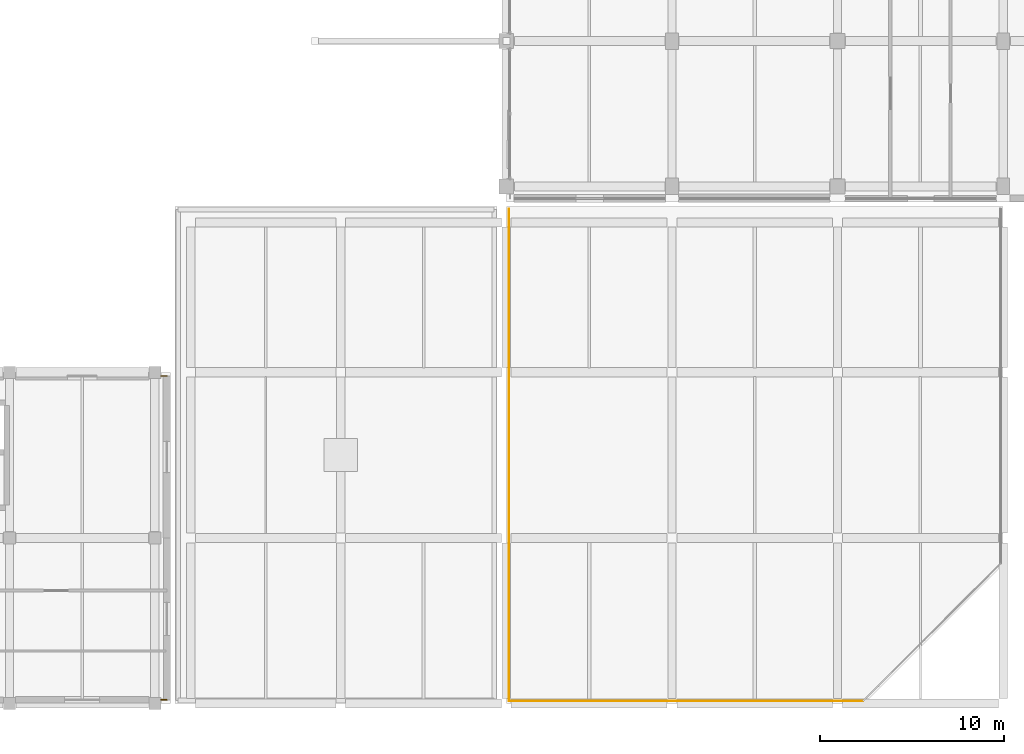
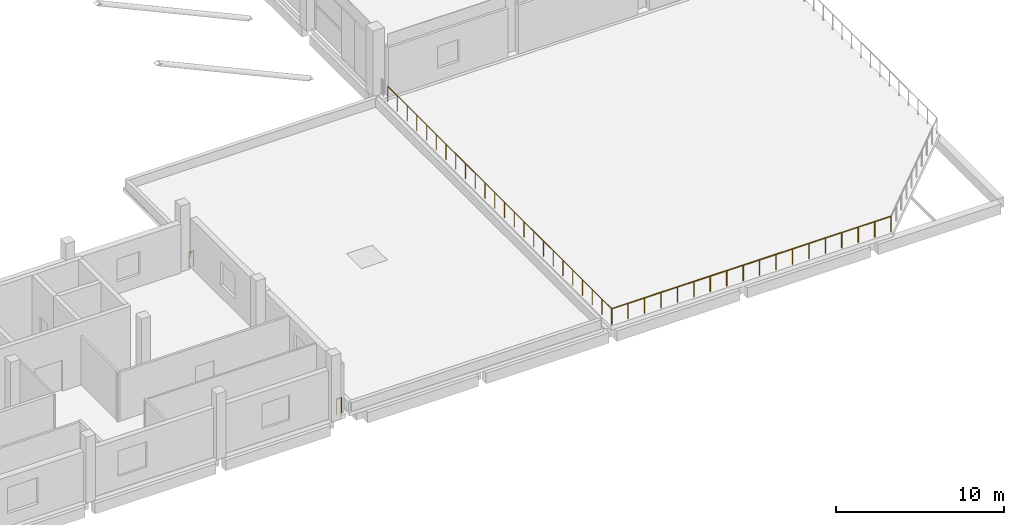
# One storey, part 74 of 82: 4 railings.
"""IFC4 building model written with IfcOpenShell, lengths in metres."""

from ifc_helpers import new_model, si_unit, direction, frame, origin, origin_2d, place, context, subcontext, project, spatial, circle, extrude, material, type_object, element, save


model = new_model("IFC4")

# Units and contexts
model_context = context("Model", 3, precision=1e-05, world=origin(), true_north=direction((0.0, 1.0)))
body_context = subcontext(model_context, "Body", "Model", "MODEL_VIEW")
ifc_project = project(units=[si_unit("LENGTHUNIT", "METRE"), si_unit("AREAUNIT", "SQUARE_METRE"), si_unit("VOLUMEUNIT", "CUBIC_METRE"), si_unit("PLANEANGLEUNIT", "RADIAN"), si_unit("MASSUNIT", "GRAM", prefix="KILO"), si_unit("THERMODYNAMICTEMPERATUREUNIT", "KELVIN"), si_unit("POWERUNIT", "WATT")], contexts=[model_context])

# Site, building, storey
site_placement = place(None, origin())
site = spatial("IfcSite", under=ifc_project, at=site_placement, CompositionType="ELEMENT")
building_placement = place(site_placement, origin())
building = spatial("IfcBuilding", under=site, at=building_placement, Name="Sindhuravela Promenade Stadium", CompositionType="ELEMENT")
storey_placement = place(building_placement, frame((0.0, 0.0, 14.39990234375)))
storey = spatial("IfcBuildingStorey", under=building, at=storey_placement, Name="L03", CompositionType="ELEMENT", Elevation=14.39990234375)

# Railings
ifc_material = material(Name="Architectural wrought steel E350", Category="steel")
railing_type_1 = type_object("IfcRailingType", Name="RL-BAL-1150", PredefinedType="BALUSTRADE", material=ifc_material)
railing_1_placement = place(storey_placement, frame((180.139892578125, 9.139892578125, 0.0)))
element("IfcRailing", 1, at=railing_1_placement, inside=storey, type_object=railing_type_1, Name="Terrace wrought balustrade BL01-17", PredefinedType="BALUSTRADE", context=body_context, shape_type="SweptSolid", body=[
    extrude(circle(Radius=0.02392578125, at=origin_2d()), frame((0.0, 0.0, 1.1259765625), z_axis=(0.0, 1.0, 0.0), x_axis=(-1.0, 0.0, 0.0)), (0.0, 0.0, 1.0), 26.72021484375),
    extrude(circle(Radius=0.02099609375, at=origin_2d()), origin(), (0.0, 0.0, 1.0), 1.101806640625),
    extrude(circle(Radius=0.02099609375, at=origin_2d()), frame((0.0, 1.161865234375, 0.0)), (0.0, 0.0, 1.0), 1.101806640625),
    extrude(circle(Radius=0.02099609375, at=origin_2d()), frame((0.0, 2.323486328125, 0.0)), (0.0, 0.0, 1.0), 1.101806640625),
    extrude(circle(Radius=0.02099609375, at=origin_2d()), frame((0.0, 3.4853515625, 0.0)), (0.0, 0.0, 1.0), 1.101806640625),
    extrude(circle(Radius=0.02099609375, at=origin_2d()), frame((0.0, 4.64697265625, 0.0)), (0.0, 0.0, 1.0), 1.101806640625),
    extrude(circle(Radius=0.02099609375, at=origin_2d()), frame((0.0, 5.808837890625, 0.0)), (0.0, 0.0, 1.0), 1.101806640625),
    extrude(circle(Radius=0.02099609375, at=origin_2d()), frame((0.0, 6.970458984375, 0.0)), (0.0, 0.0, 1.0), 1.101806640625),
    extrude(circle(Radius=0.02099609375, at=origin_2d()), frame((0.0, 8.13232421875, 0.0)), (0.0, 0.0, 1.0), 1.101806640625),
    extrude(circle(Radius=0.02099609375, at=origin_2d()), frame((0.0, 9.2939453125, 0.0)), (0.0, 0.0, 1.0), 1.101806640625),
    extrude(circle(Radius=0.02099609375, at=origin_2d()), frame((0.0, 10.455810546875, 0.0)), (0.0, 0.0, 1.0), 1.101806640625),
    extrude(circle(Radius=0.02099609375, at=origin_2d()), frame((0.0, 11.617431640625, 0.0)), (0.0, 0.0, 1.0), 1.101806640625),
    extrude(circle(Radius=0.02099609375, at=origin_2d()), frame((0.0, 12.779296875, 0.0)), (0.0, 0.0, 1.0), 1.101806640625),
    extrude(circle(Radius=0.02099609375, at=origin_2d()), frame((0.0, 13.94091796875, 0.0)), (0.0, 0.0, 1.0), 1.101806640625),
    extrude(circle(Radius=0.02099609375, at=origin_2d()), frame((0.0, 15.102783203125, 0.0)), (0.0, 0.0, 1.0), 1.101806640625),
    extrude(circle(Radius=0.02099609375, at=origin_2d()), frame((0.0, 16.264404296875, 0.0)), (0.0, 0.0, 1.0), 1.101806640625),
    extrude(circle(Radius=0.02099609375, at=origin_2d()), frame((0.0, 17.42626953125, 0.0)), (0.0, 0.0, 1.0), 1.101806640625),
    extrude(circle(Radius=0.02099609375, at=origin_2d()), frame((0.0, 18.587890625, 0.0)), (0.0, 0.0, 1.0), 1.101806640625),
    extrude(circle(Radius=0.02099609375, at=origin_2d()), frame((0.0, 19.749755859375, 0.0)), (0.0, 0.0, 1.0), 1.101806640625),
    extrude(circle(Radius=0.02099609375, at=origin_2d()), frame((0.0, 20.911376953125, 0.0)), (0.0, 0.0, 1.0), 1.101806640625),
    extrude(circle(Radius=0.02099609375, at=origin_2d()), frame((0.0, 22.0732421875, 0.0)), (0.0, 0.0, 1.0), 1.101806640625),
    extrude(circle(Radius=0.02099609375, at=origin_2d()), frame((0.0, 23.23486328125, 0.0)), (0.0, 0.0, 1.0), 1.101806640625),
    extrude(circle(Radius=0.02099609375, at=origin_2d()), frame((0.0, 24.396728515625, 0.0)), (0.0, 0.0, 1.0), 1.101806640625),
    extrude(circle(Radius=0.02099609375, at=origin_2d()), frame((0.0, 25.558349609375, 0.0)), (0.0, 0.0, 1.0), 1.101806640625),
    extrude(circle(Radius=0.02099609375, at=origin_2d()), frame((0.0, 26.72021484375, 0.0)), (0.0, 0.0, 1.0), 1.101806640625),
])
railing_2_placement = place(storey_placement, frame((199.382080078125, 9.139892578125, 0.0)))
element("IfcRailing", 2, at=railing_2_placement, inside=storey, type_object=railing_type_1, Name="Terrace wrought balustrade BL01-20", PredefinedType="BALUSTRADE", context=body_context, shape_type="SweptSolid", body=[
    extrude(circle(Radius=0.02392578125, at=origin_2d()), frame((0.0, 0.0, 1.1259765625), z_axis=(-1.0, 0.0, 0.0), x_axis=(0.0, -1.0, 0.0)), (0.0, 0.0, 1.0), 19.2421875),
    extrude(circle(Radius=0.02099609375, at=origin_2d()), origin(), (0.0, 0.0, 1.0), 1.101806640625),
    extrude(circle(Radius=0.02099609375, at=origin_2d()), frame((-1.1318359375, 0.0, 0.0)), (0.0, 0.0, 1.0), 1.101806640625),
    extrude(circle(Radius=0.02099609375, at=origin_2d()), frame((-2.263671875, 0.0, 0.0)), (0.0, 0.0, 1.0), 1.101806640625),
    extrude(circle(Radius=0.02099609375, at=origin_2d()), frame((-3.395751953125, 0.0, 0.0)), (0.0, 0.0, 1.0), 1.101806640625),
    extrude(circle(Radius=0.02099609375, at=origin_2d()), frame((-4.527587890625, 0.0, 0.0)), (0.0, 0.0, 1.0), 1.101806640625),
    extrude(circle(Radius=0.02099609375, at=origin_2d()), frame((-5.659423828125, 0.0, 0.0)), (0.0, 0.0, 1.0), 1.101806640625),
    extrude(circle(Radius=0.02099609375, at=origin_2d()), frame((-6.791259765625, 0.0, 0.0)), (0.0, 0.0, 1.0), 1.101806640625),
    extrude(circle(Radius=0.02099609375, at=origin_2d()), frame((-7.92333984375, 0.0, 0.0)), (0.0, 0.0, 1.0), 1.101806640625),
    extrude(circle(Radius=0.02099609375, at=origin_2d()), frame((-9.05517578125, 0.0, 0.0)), (0.0, 0.0, 1.0), 1.101806640625),
    extrude(circle(Radius=0.02099609375, at=origin_2d()), frame((-10.18701171875, 0.0, 0.0)), (0.0, 0.0, 1.0), 1.101806640625),
    extrude(circle(Radius=0.02099609375, at=origin_2d()), frame((-11.31884765625, 0.0, 0.0)), (0.0, 0.0, 1.0), 1.101806640625),
    extrude(circle(Radius=0.02099609375, at=origin_2d()), frame((-12.450927734375, 0.0, 0.0)), (0.0, 0.0, 1.0), 1.101806640625),
    extrude(circle(Radius=0.02099609375, at=origin_2d()), frame((-13.582763671875, 0.0, 0.0)), (0.0, 0.0, 1.0), 1.101806640625),
    extrude(circle(Radius=0.02099609375, at=origin_2d()), frame((-14.714599609375, 0.0, 0.0)), (0.0, 0.0, 1.0), 1.101806640625),
    extrude(circle(Radius=0.02099609375, at=origin_2d()), frame((-15.846435546875, 0.0, 0.0)), (0.0, 0.0, 1.0), 1.101806640625),
    extrude(circle(Radius=0.02099609375, at=origin_2d()), frame((-16.978515625, 0.0, 0.0)), (0.0, 0.0, 1.0), 1.101806640625),
    extrude(circle(Radius=0.02099609375, at=origin_2d()), frame((-18.1103515625, 0.0, 0.0)), (0.0, 0.0, 1.0), 1.101806640625),
    extrude(circle(Radius=0.02099609375, at=origin_2d()), frame((-19.2421875, 0.0, 0.0)), (0.0, 0.0, 1.0), 1.101806640625),
])
railing_type_2 = type_object("IfcRailingType", Name="RL-GRD-1150", PredefinedType="GUARDRAIL", material=ifc_material)
railing_3_placement = place(storey_placement, frame((161.22998046875, 26.800048828125, 0.0)))
element("IfcRailing", 3, at=railing_3_placement, inside=storey, type_object=railing_type_2, Name="Perimeter edge return guard SOUTH L03", PredefinedType="GUARDRAIL", context=body_context, shape_type="SweptSolid", body=[
    extrude(circle(Radius=0.02392578125, at=origin_2d()), frame((0.0, 0.0, 1.1259765625), z_axis=(1.0, 0.0, 0.0), x_axis=(0.0, 1.0, 0.0)), (0.0, 0.0, 1.0), 0.320068359375),
    extrude(circle(Radius=0.02099609375, at=origin_2d()), origin(), (0.0, 0.0, 1.0), 1.101806640625),
    extrude(circle(Radius=0.02099609375, at=origin_2d()), frame((0.320068359375, 0.0, 0.0)), (0.0, 0.0, 1.0), 1.101806640625),
])
railing_4_placement = place(storey_placement, frame((161.550048828125, 9.199951171875, 0.0)))
element("IfcRailing", 4, at=railing_4_placement, inside=storey, type_object=railing_type_2, Name="Perimeter edge return guard SOUTH L03", PredefinedType="GUARDRAIL", context=body_context, shape_type="SweptSolid", body=[
    extrude(circle(Radius=0.02392578125, at=origin_2d()), frame((0.0, 0.0, 1.1259765625), z_axis=(-1.0, 0.0, 0.0), x_axis=(0.0, -1.0, 0.0)), (0.0, 0.0, 1.0), 0.320068359375),
    extrude(circle(Radius=0.02099609375, at=origin_2d()), origin(), (0.0, 0.0, 1.0), 1.101806640625),
    extrude(circle(Radius=0.02099609375, at=origin_2d()), frame((-0.320068359375, 0.0, 0.0)), (0.0, 0.0, 1.0), 1.101806640625),
])

save(model, "model.ifc")
